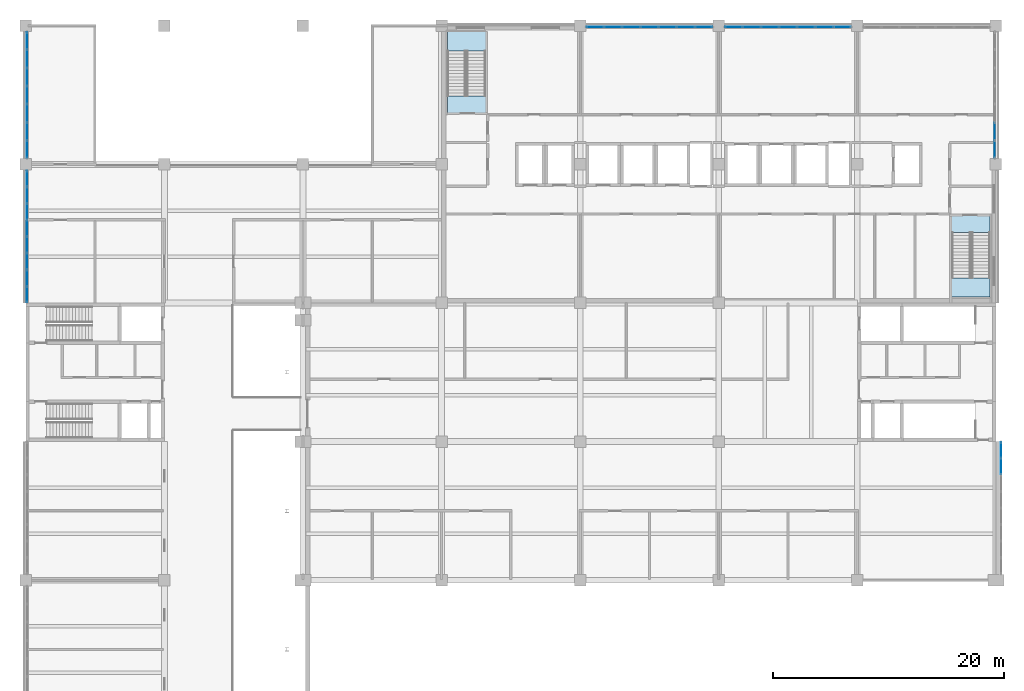
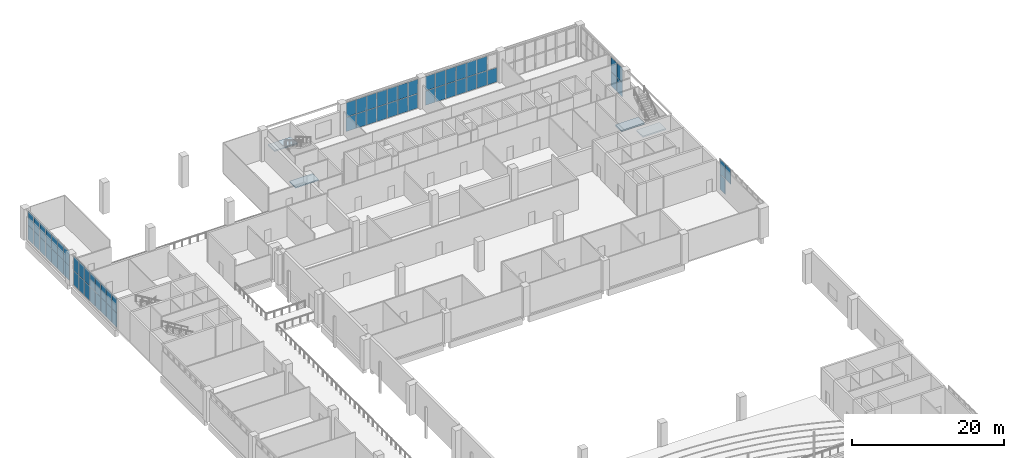
# One storey, part 49 of 69: 64 plates, 4 slabs, 8 elements without a shape of their own.
"""IFC4 building model written with IfcOpenShell, lengths in metres."""

from ifc_helpers import new_model, si_unit, direction, frame, origin, origin_2d, place, context, subcontext, project, spatial, polyline, rectangle, outline, extrude, material, layer, layer_set, type_object, element, aggregate, save


model = new_model("IFC4")

# Units and contexts
model_context = context("Model", 3, precision=1e-05, world=origin(), true_north=direction((0.0, 1.0)))
body_context = subcontext(model_context, "Body", "Model", "MODEL_VIEW")
ifc_project = project(units=[si_unit("LENGTHUNIT", "METRE"), si_unit("AREAUNIT", "SQUARE_METRE"), si_unit("VOLUMEUNIT", "CUBIC_METRE"), si_unit("PLANEANGLEUNIT", "RADIAN"), si_unit("MASSUNIT", "GRAM", prefix="KILO")], contexts=[model_context])

# Site, building, storey
site_placement = place(None, origin())
site = spatial("IfcSite", under=ifc_project, at=site_placement, CompositionType="ELEMENT")
building_placement = place(site_placement, origin())
building = spatial("IfcBuilding", under=site, at=building_placement, Name="Lilac Gate Convention Centre", CompositionType="ELEMENT")
storey_placement = place(building_placement, frame((0.0, 0.0, 12.0)))
storey = spatial("IfcBuildingStorey", under=building, at=storey_placement, Name="L02", CompositionType="ELEMENT", Elevation=12.0)

# Curtain wall, plates
ifc_material_1 = material(Name="Aluminium framed double glazing", Category="aluminium")
ifc_layer_1 = layer(ifc_material_1, 0.199951171875)
ifc_layer_set_1 = layer_set([ifc_layer_1], Name="Aluminium framed double glazing")
curtain_wall_type = type_object("IfcCurtainWallType", Name="Unitised curtain wall 1500", PredefinedType="NOTDEFINED", material=ifc_layer_set_1)
curtain_wall_1_placement = place(storey_placement, origin())
curtain_wall_1 = element("IfcCurtainWall", 1, at=curtain_wall_1_placement, inside=storey, type_object=curtain_wall_type, Name="Curtain wall E L02 2", PredefinedType="NOTDEFINED")
ifc_material_2 = material(Name="Double glazed unit low emissivity")
ifc_layer_2 = layer(ifc_material_2, 0.028076171875)
ifc_layer_set_2 = layer_set([ifc_layer_2], Name="Double glazed unit low emissivity")
plate_type_1 = type_object("IfcPlateType", Name="Curtain wall glass panel 28", PredefinedType="CURTAIN_PANEL", material=ifc_layer_set_2)
plate_1_placement = place(storey_placement, frame((89.89990234375, 235.30078125, 2.4052734375), z_axis=(0.0, 0.0, 1.0), x_axis=(0.0, 1.0, 0.0)))
plate_1 = element("IfcPlate", 2, at=plate_1_placement, type_object=plate_type_1, Name="CW panel 1.2", PredefinedType="CURTAIN_PANEL", context=body_context, shape_type="SweptSolid", body=[
    extrude(rectangle(XDim=1.4814453125, YDim=0.028076171875, at=origin_2d()), origin(), (0.0, 0.0, 1.0), 2.284912109375),
])
plate_2_placement = place(storey_placement, frame((89.89990234375, 236.857177734375, 2.4052734375), z_axis=(0.0, 0.0, 1.0), x_axis=(0.0, 1.0, 0.0)))
plate_2 = element("IfcPlate", 3, at=plate_2_placement, type_object=plate_type_1, Name="CW panel 2.2", PredefinedType="CURTAIN_PANEL", context=body_context, shape_type="SweptSolid", body=[
    extrude(rectangle(XDim=1.511474609375, YDim=0.028076171875, at=origin_2d()), origin(), (0.0, 0.0, 1.0), 2.284912109375),
])

curtain_wall_2_placement = place(storey_placement, origin())
curtain_wall_2 = element("IfcCurtainWall", 4, at=curtain_wall_2_placement, inside=storey, type_object=curtain_wall_type, Name="Curtain wall N L02 2", PredefinedType="NOTDEFINED")
plate_3_placement = place(storey_placement, frame((75.142822265625, 245.89990234375, 2.4052734375), z_axis=(0.0, 0.0, 1.0), x_axis=(-1.0, 0.0, 0.0)))
plate_3 = element("IfcPlate", 5, at=plate_3_placement, type_object=plate_type_1, Name="CW panel 2.2", PredefinedType="CURTAIN_PANEL", context=body_context, shape_type="SweptSolid", body=[
    extrude(rectangle(XDim=1.511474609375, YDim=0.028076171875, at=origin_2d()), origin(), (0.0, 0.0, 1.0), 2.284912109375),
])
plate_4_placement = place(storey_placement, frame((73.571533203125, 245.89990234375, 2.4052734375), z_axis=(0.0, 0.0, 1.0), x_axis=(-1.0, 0.0, 0.0)))
plate_4 = element("IfcPlate", 6, at=plate_4_placement, type_object=plate_type_1, Name="CW panel 3.2", PredefinedType="CURTAIN_PANEL", context=body_context, shape_type="SweptSolid", body=[
    extrude(rectangle(XDim=1.511474609375, YDim=0.028076171875, at=origin_2d()), origin(), (0.0, 0.0, 1.0), 2.284912109375),
])
plate_5_placement = place(storey_placement, frame((72.0, 245.89990234375, 2.4052734375), z_axis=(0.0, 0.0, 1.0), x_axis=(-1.0, 0.0, 0.0)))
plate_5 = element("IfcPlate", 7, at=plate_5_placement, type_object=plate_type_1, Name="CW panel 4.2", PredefinedType="CURTAIN_PANEL", context=body_context, shape_type="SweptSolid", body=[
    extrude(rectangle(XDim=1.511474609375, YDim=0.028076171875, at=origin_2d()), origin(), (0.0, 0.0, 1.0), 2.284912109375),
])
plate_6_placement = place(storey_placement, frame((70.428466796875, 245.89990234375, 2.4052734375), z_axis=(0.0, 0.0, 1.0), x_axis=(-1.0, 0.0, 0.0)))
plate_6 = element("IfcPlate", 8, at=plate_6_placement, type_object=plate_type_1, Name="CW panel 5.2", PredefinedType="CURTAIN_PANEL", context=body_context, shape_type="SweptSolid", body=[
    extrude(rectangle(XDim=1.511474609375, YDim=0.028076171875, at=origin_2d()), origin(), (0.0, 0.0, 1.0), 2.284912109375),
])
plate_7_placement = place(storey_placement, frame((68.857177734375, 245.89990234375, 2.4052734375), z_axis=(0.0, 0.0, 1.0), x_axis=(-1.0, 0.0, 0.0)))
plate_7 = element("IfcPlate", 9, at=plate_7_placement, type_object=plate_type_1, Name="CW panel 6.2", PredefinedType="CURTAIN_PANEL", context=body_context, shape_type="SweptSolid", body=[
    extrude(rectangle(XDim=1.511474609375, YDim=0.028076171875, at=origin_2d()), origin(), (0.0, 0.0, 1.0), 2.284912109375),
])
plate_8_placement = place(storey_placement, frame((67.30078125, 245.89990234375, 2.4052734375), z_axis=(0.0, 0.0, 1.0), x_axis=(-1.0, 0.0, 0.0)))
plate_8 = element("IfcPlate", 10, at=plate_8_placement, type_object=plate_type_1, Name="CW panel 7.2", PredefinedType="CURTAIN_PANEL", context=body_context, shape_type="SweptSolid", body=[
    extrude(rectangle(XDim=1.4814453125, YDim=0.028076171875, at=origin_2d()), origin(), (0.0, 0.0, 1.0), 2.284912109375),
])

curtain_wall_3_placement = place(storey_placement, origin())
curtain_wall_3 = element("IfcCurtainWall", 11, at=curtain_wall_3_placement, inside=storey, type_object=curtain_wall_type, Name="Curtain wall N L02 3", PredefinedType="NOTDEFINED")
plate_9_placement = place(storey_placement, frame((64.69921875, 245.89990234375, 2.4052734375), z_axis=(0.0, 0.0, 1.0), x_axis=(-1.0, 0.0, 0.0)))
plate_9 = element("IfcPlate", 12, at=plate_9_placement, type_object=plate_type_1, Name="CW panel 1.2", PredefinedType="CURTAIN_PANEL", context=body_context, shape_type="SweptSolid", body=[
    extrude(rectangle(XDim=1.4814453125, YDim=0.028076171875, at=origin_2d()), origin(), (0.0, 0.0, 1.0), 2.284912109375),
])
plate_10_placement = place(storey_placement, frame((63.142822265625, 245.89990234375, 2.4052734375), z_axis=(0.0, 0.0, 1.0), x_axis=(-1.0, 0.0, 0.0)))
plate_10 = element("IfcPlate", 13, at=plate_10_placement, type_object=plate_type_1, Name="CW panel 2.2", PredefinedType="CURTAIN_PANEL", context=body_context, shape_type="SweptSolid", body=[
    extrude(rectangle(XDim=1.511474609375, YDim=0.028076171875, at=origin_2d()), origin(), (0.0, 0.0, 1.0), 2.284912109375),
])
plate_11_placement = place(storey_placement, frame((61.571533203125, 245.89990234375, 2.4052734375), z_axis=(0.0, 0.0, 1.0), x_axis=(-1.0, 0.0, 0.0)))
plate_11 = element("IfcPlate", 14, at=plate_11_placement, type_object=plate_type_1, Name="CW panel 3.2", PredefinedType="CURTAIN_PANEL", context=body_context, shape_type="SweptSolid", body=[
    extrude(rectangle(XDim=1.511474609375, YDim=0.028076171875, at=origin_2d()), origin(), (0.0, 0.0, 1.0), 2.284912109375),
])
plate_12_placement = place(storey_placement, frame((60.0, 245.89990234375, 2.4052734375), z_axis=(0.0, 0.0, 1.0), x_axis=(-1.0, 0.0, 0.0)))
plate_12 = element("IfcPlate", 15, at=plate_12_placement, type_object=plate_type_1, Name="CW panel 4.2", PredefinedType="CURTAIN_PANEL", context=body_context, shape_type="SweptSolid", body=[
    extrude(rectangle(XDim=1.511474609375, YDim=0.028076171875, at=origin_2d()), origin(), (0.0, 0.0, 1.0), 2.284912109375),
])
plate_13_placement = place(storey_placement, frame((58.428466796875, 245.89990234375, 2.4052734375), z_axis=(0.0, 0.0, 1.0), x_axis=(-1.0, 0.0, 0.0)))
plate_13 = element("IfcPlate", 16, at=plate_13_placement, type_object=plate_type_1, Name="CW panel 5.2", PredefinedType="CURTAIN_PANEL", context=body_context, shape_type="SweptSolid", body=[
    extrude(rectangle(XDim=1.511474609375, YDim=0.028076171875, at=origin_2d()), origin(), (0.0, 0.0, 1.0), 2.284912109375),
])
plate_14_placement = place(storey_placement, frame((56.857177734375, 245.89990234375, 2.4052734375), z_axis=(0.0, 0.0, 1.0), x_axis=(-1.0, 0.0, 0.0)))
plate_14 = element("IfcPlate", 17, at=plate_14_placement, type_object=plate_type_1, Name="CW panel 6.2", PredefinedType="CURTAIN_PANEL", context=body_context, shape_type="SweptSolid", body=[
    extrude(rectangle(XDim=1.511474609375, YDim=0.028076171875, at=origin_2d()), origin(), (0.0, 0.0, 1.0), 2.284912109375),
])
plate_15_placement = place(storey_placement, frame((55.30078125, 245.89990234375, 2.4052734375), z_axis=(0.0, 0.0, 1.0), x_axis=(-1.0, 0.0, 0.0)))
plate_15 = element("IfcPlate", 18, at=plate_15_placement, type_object=plate_type_1, Name="CW panel 7.2", PredefinedType="CURTAIN_PANEL", context=body_context, shape_type="SweptSolid", body=[
    extrude(rectangle(XDim=1.4814453125, YDim=0.028076171875, at=origin_2d()), origin(), (0.0, 0.0, 1.0), 2.284912109375),
])

curtain_wall_4_placement = place(storey_placement, origin())
curtain_wall_4 = element("IfcCurtainWall", 19, at=curtain_wall_4_placement, inside=storey, type_object=curtain_wall_type, Name="Curtain wall GW L02 1", PredefinedType="NOTDEFINED")
plate_16_placement = place(storey_placement, frame((6.10009765625, 244.69921875, 2.4052734375), z_axis=(0.0, 0.0, 1.0), x_axis=(0.0, -1.0, 0.0)))
plate_16 = element("IfcPlate", 20, at=plate_16_placement, type_object=plate_type_1, Name="CW panel 1.2", PredefinedType="CURTAIN_PANEL", context=body_context, shape_type="SweptSolid", body=[
    extrude(rectangle(XDim=1.4814453125, YDim=0.028076171875, at=origin_2d()), origin(), (0.0, 0.0, 1.0), 2.284912109375),
])
plate_17_placement = place(storey_placement, frame((6.10009765625, 243.142822265625, 2.4052734375), z_axis=(0.0, 0.0, 1.0), x_axis=(0.0, -1.0, 0.0)))
plate_17 = element("IfcPlate", 21, at=plate_17_placement, type_object=plate_type_1, Name="CW panel 2.2", PredefinedType="CURTAIN_PANEL", context=body_context, shape_type="SweptSolid", body=[
    extrude(rectangle(XDim=1.511474609375, YDim=0.028076171875, at=origin_2d()), origin(), (0.0, 0.0, 1.0), 2.284912109375),
])
plate_18_placement = place(storey_placement, frame((6.10009765625, 241.571533203125, 2.4052734375), z_axis=(0.0, 0.0, 1.0), x_axis=(0.0, -1.0, 0.0)))
plate_18 = element("IfcPlate", 22, at=plate_18_placement, type_object=plate_type_1, Name="CW panel 3.2", PredefinedType="CURTAIN_PANEL", context=body_context, shape_type="SweptSolid", body=[
    extrude(rectangle(XDim=1.511474609375, YDim=0.028076171875, at=origin_2d()), origin(), (0.0, 0.0, 1.0), 2.284912109375),
])
plate_19_placement = place(storey_placement, frame((6.10009765625, 240.0, 2.4052734375), z_axis=(0.0, 0.0, 1.0), x_axis=(0.0, -1.0, 0.0)))
plate_19 = element("IfcPlate", 23, at=plate_19_placement, type_object=plate_type_1, Name="CW panel 4.2", PredefinedType="CURTAIN_PANEL", context=body_context, shape_type="SweptSolid", body=[
    extrude(rectangle(XDim=1.511474609375, YDim=0.028076171875, at=origin_2d()), origin(), (0.0, 0.0, 1.0), 2.284912109375),
])
plate_20_placement = place(storey_placement, frame((6.10009765625, 238.428466796875, 2.4052734375), z_axis=(0.0, 0.0, 1.0), x_axis=(0.0, -1.0, 0.0)))
plate_20 = element("IfcPlate", 24, at=plate_20_placement, type_object=plate_type_1, Name="CW panel 5.2", PredefinedType="CURTAIN_PANEL", context=body_context, shape_type="SweptSolid", body=[
    extrude(rectangle(XDim=1.511474609375, YDim=0.028076171875, at=origin_2d()), origin(), (0.0, 0.0, 1.0), 2.284912109375),
])
plate_21_placement = place(storey_placement, frame((6.10009765625, 236.857177734375, 2.4052734375), z_axis=(0.0, 0.0, 1.0), x_axis=(0.0, -1.0, 0.0)))
plate_21 = element("IfcPlate", 25, at=plate_21_placement, type_object=plate_type_1, Name="CW panel 6.2", PredefinedType="CURTAIN_PANEL", context=body_context, shape_type="SweptSolid", body=[
    extrude(rectangle(XDim=1.511474609375, YDim=0.028076171875, at=origin_2d()), origin(), (0.0, 0.0, 1.0), 2.284912109375),
])
plate_22_placement = place(storey_placement, frame((6.10009765625, 235.30078125, 2.4052734375), z_axis=(0.0, 0.0, 1.0), x_axis=(0.0, -1.0, 0.0)))
plate_22 = element("IfcPlate", 26, at=plate_22_placement, type_object=plate_type_1, Name="CW panel 7.2", PredefinedType="CURTAIN_PANEL", context=body_context, shape_type="SweptSolid", body=[
    extrude(rectangle(XDim=1.4814453125, YDim=0.028076171875, at=origin_2d()), origin(), (0.0, 0.0, 1.0), 2.284912109375),
])

curtain_wall_5_placement = place(storey_placement, origin())
curtain_wall_5 = element("IfcCurtainWall", 27, at=curtain_wall_5_placement, inside=storey, type_object=curtain_wall_type, Name="Curtain wall GW L02 2", PredefinedType="NOTDEFINED")
plate_23_placement = place(storey_placement, frame((6.10009765625, 232.766357421875, 2.4052734375), z_axis=(0.0, 0.0, 1.0), x_axis=(0.0, -1.0, 0.0)))
plate_23 = element("IfcPlate", 28, at=plate_23_placement, type_object=plate_type_1, Name="CW panel 1.2", PredefinedType="CURTAIN_PANEL", context=body_context, shape_type="SweptSolid", body=[
    extrude(rectangle(XDim=1.347412109375, YDim=0.028076171875, at=origin_2d()), origin(), (0.0, 0.0, 1.0), 2.284912109375),
])
plate_24_placement = place(storey_placement, frame((6.10009765625, 231.34375, 2.4052734375), z_axis=(0.0, 0.0, 1.0), x_axis=(0.0, -1.0, 0.0)))
plate_24 = element("IfcPlate", 29, at=plate_24_placement, type_object=plate_type_1, Name="CW panel 2.2", PredefinedType="CURTAIN_PANEL", context=body_context, shape_type="SweptSolid", body=[
    extrude(rectangle(XDim=1.37744140625, YDim=0.028076171875, at=origin_2d()), origin(), (0.0, 0.0, 1.0), 2.284912109375),
])
plate_25_placement = place(storey_placement, frame((6.10009765625, 229.90625, 2.4052734375), z_axis=(0.0, 0.0, 1.0), x_axis=(0.0, -1.0, 0.0)))
plate_25 = element("IfcPlate", 30, at=plate_25_placement, type_object=plate_type_1, Name="CW panel 3.2", PredefinedType="CURTAIN_PANEL", context=body_context, shape_type="SweptSolid", body=[
    extrude(rectangle(XDim=1.37744140625, YDim=0.028076171875, at=origin_2d()), origin(), (0.0, 0.0, 1.0), 2.284912109375),
])
plate_26_placement = place(storey_placement, frame((6.10009765625, 228.46875, 2.4052734375), z_axis=(0.0, 0.0, 1.0), x_axis=(0.0, -1.0, 0.0)))
plate_26 = element("IfcPlate", 31, at=plate_26_placement, type_object=plate_type_1, Name="CW panel 4.2", PredefinedType="CURTAIN_PANEL", context=body_context, shape_type="SweptSolid", body=[
    extrude(rectangle(XDim=1.37744140625, YDim=0.028076171875, at=origin_2d()), origin(), (0.0, 0.0, 1.0), 2.284912109375),
])
plate_27_placement = place(storey_placement, frame((6.10009765625, 227.03125, 2.4052734375), z_axis=(0.0, 0.0, 1.0), x_axis=(0.0, -1.0, 0.0)))
plate_27 = element("IfcPlate", 32, at=plate_27_placement, type_object=plate_type_1, Name="CW panel 5.2", PredefinedType="CURTAIN_PANEL", context=body_context, shape_type="SweptSolid", body=[
    extrude(rectangle(XDim=1.37744140625, YDim=0.028076171875, at=origin_2d()), origin(), (0.0, 0.0, 1.0), 2.284912109375),
])
plate_28_placement = place(storey_placement, frame((6.10009765625, 225.59375, 2.4052734375), z_axis=(0.0, 0.0, 1.0), x_axis=(0.0, -1.0, 0.0)))
plate_28 = element("IfcPlate", 33, at=plate_28_placement, type_object=plate_type_1, Name="CW panel 6.2", PredefinedType="CURTAIN_PANEL", context=body_context, shape_type="SweptSolid", body=[
    extrude(rectangle(XDim=1.37744140625, YDim=0.028076171875, at=origin_2d()), origin(), (0.0, 0.0, 1.0), 2.284912109375),
])
plate_29_placement = place(storey_placement, frame((6.10009765625, 224.15625, 2.4052734375), z_axis=(0.0, 0.0, 1.0), x_axis=(0.0, -1.0, 0.0)))
plate_29 = element("IfcPlate", 34, at=plate_29_placement, type_object=plate_type_1, Name="CW panel 7.2", PredefinedType="CURTAIN_PANEL", context=body_context, shape_type="SweptSolid", body=[
    extrude(rectangle(XDim=1.37744140625, YDim=0.028076171875, at=origin_2d()), origin(), (0.0, 0.0, 1.0), 2.284912109375),
])
plate_30_placement = place(storey_placement, frame((6.10009765625, 222.733642578125, 2.4052734375), z_axis=(0.0, 0.0, 1.0), x_axis=(0.0, -1.0, 0.0)))
plate_30 = element("IfcPlate", 35, at=plate_30_placement, type_object=plate_type_1, Name="CW panel 8.2", PredefinedType="CURTAIN_PANEL", context=body_context, shape_type="SweptSolid", body=[
    extrude(rectangle(XDim=1.347412109375, YDim=0.028076171875, at=origin_2d()), origin(), (0.0, 0.0, 1.0), 2.284912109375),
])

curtain_wall_6_placement = place(storey_placement, origin())
curtain_wall_6 = element("IfcCurtainWall", 36, at=curtain_wall_6_placement, inside=storey, type_object=curtain_wall_type, Name="Curtain wall HE L02 12", PredefinedType="NOTDEFINED")
plate_31_placement = place(storey_placement, frame((90.449951171875, 207.84375, 2.5302734375), z_axis=(0.0, 0.0, 1.0), x_axis=(0.0, 1.0, 0.0)))
plate_31 = element("IfcPlate", 37, at=plate_31_placement, type_object=plate_type_1, Name="CW panel 7.2", PredefinedType="CURTAIN_PANEL", context=body_context, shape_type="SweptSolid", body=[
    extrude(rectangle(XDim=1.37744140625, YDim=0.028076171875, at=origin_2d()), origin(), (0.0, 0.0, 1.0), 2.409912109375),
])
plate_32_placement = place(storey_placement, frame((90.449951171875, 209.266357421875, 2.5302734375), z_axis=(0.0, 0.0, 1.0), x_axis=(0.0, 1.0, 0.0)))
plate_32 = element("IfcPlate", 38, at=plate_32_placement, type_object=plate_type_1, Name="CW panel 8.2", PredefinedType="CURTAIN_PANEL", context=body_context, shape_type="SweptSolid", body=[
    extrude(rectangle(XDim=1.347412109375, YDim=0.028076171875, at=origin_2d()), origin(), (0.0, 0.0, 1.0), 2.409912109375),
])

# Plate
ifc_material_3 = material(Name="Insulated aluminium spandrel panel", Category="aluminium")
ifc_layer_3 = layer(ifc_material_3, 0.028076171875)
ifc_layer_set_3 = layer_set([ifc_layer_3], Name="Insulated aluminium spandrel panel")
plate_type_2 = type_object("IfcPlateType", Name="Curtain wall spandrel panel 28", PredefinedType="CURTAIN_PANEL", material=ifc_layer_set_3)
plate_33_placement = place(storey_placement, frame((89.89990234375, 235.30078125, 0.06005859375), z_axis=(0.0, 0.0, 1.0), x_axis=(0.0, 1.0, 0.0)))
plate_33 = element("IfcPlate", 39, at=plate_33_placement, type_object=plate_type_2, Name="CW spandrel 1.1", PredefinedType="CURTAIN_PANEL", context=body_context, shape_type="SweptSolid", body=[
    extrude(rectangle(XDim=1.4814453125, YDim=0.028076171875, at=origin_2d()), origin(), (0.0, 0.0, 1.0), 2.284912109375),
])

plate_34_placement = place(storey_placement, frame((89.89990234375, 236.857177734375, 0.06005859375), z_axis=(0.0, 0.0, 1.0), x_axis=(0.0, 1.0, 0.0)))
plate_34 = element("IfcPlate", 40, at=plate_34_placement, type_object=plate_type_2, Name="CW spandrel 2.1", PredefinedType="CURTAIN_PANEL", context=body_context, shape_type="SweptSolid", body=[
    extrude(rectangle(XDim=1.511474609375, YDim=0.028076171875, at=origin_2d()), origin(), (0.0, 0.0, 1.0), 2.284912109375),
])

aggregate(curtain_wall_1, [plate_33, plate_1, plate_34, plate_2])

plate_35_placement = place(storey_placement, frame((76.69921875, 245.89990234375, 0.06005859375), z_axis=(0.0, 0.0, 1.0), x_axis=(-1.0, 0.0, 0.0)))
plate_35 = element("IfcPlate", 41, at=plate_35_placement, type_object=plate_type_2, Name="CW spandrel 1.1", PredefinedType="CURTAIN_PANEL", context=body_context, shape_type="SweptSolid", body=[
    extrude(rectangle(XDim=1.4814453125, YDim=0.028076171875, at=origin_2d()), origin(), (0.0, 0.0, 1.0), 2.284912109375),
])

plate_36_placement = place(storey_placement, frame((75.142822265625, 245.89990234375, 0.06005859375), z_axis=(0.0, 0.0, 1.0), x_axis=(-1.0, 0.0, 0.0)))
plate_36 = element("IfcPlate", 42, at=plate_36_placement, type_object=plate_type_2, Name="CW spandrel 2.1", PredefinedType="CURTAIN_PANEL", context=body_context, shape_type="SweptSolid", body=[
    extrude(rectangle(XDim=1.511474609375, YDim=0.028076171875, at=origin_2d()), origin(), (0.0, 0.0, 1.0), 2.284912109375),
])

plate_37_placement = place(storey_placement, frame((73.571533203125, 245.89990234375, 0.06005859375), z_axis=(0.0, 0.0, 1.0), x_axis=(-1.0, 0.0, 0.0)))
plate_37 = element("IfcPlate", 43, at=plate_37_placement, type_object=plate_type_2, Name="CW spandrel 3.1", PredefinedType="CURTAIN_PANEL", context=body_context, shape_type="SweptSolid", body=[
    extrude(rectangle(XDim=1.511474609375, YDim=0.028076171875, at=origin_2d()), origin(), (0.0, 0.0, 1.0), 2.284912109375),
])

plate_38_placement = place(storey_placement, frame((72.0, 245.89990234375, 0.06005859375), z_axis=(0.0, 0.0, 1.0), x_axis=(-1.0, 0.0, 0.0)))
plate_38 = element("IfcPlate", 44, at=plate_38_placement, type_object=plate_type_2, Name="CW spandrel 4.1", PredefinedType="CURTAIN_PANEL", context=body_context, shape_type="SweptSolid", body=[
    extrude(rectangle(XDim=1.511474609375, YDim=0.028076171875, at=origin_2d()), origin(), (0.0, 0.0, 1.0), 2.284912109375),
])

plate_39_placement = place(storey_placement, frame((70.428466796875, 245.89990234375, 0.06005859375), z_axis=(0.0, 0.0, 1.0), x_axis=(-1.0, 0.0, 0.0)))
plate_39 = element("IfcPlate", 45, at=plate_39_placement, type_object=plate_type_2, Name="CW spandrel 5.1", PredefinedType="CURTAIN_PANEL", context=body_context, shape_type="SweptSolid", body=[
    extrude(rectangle(XDim=1.511474609375, YDim=0.028076171875, at=origin_2d()), origin(), (0.0, 0.0, 1.0), 2.284912109375),
])

plate_40_placement = place(storey_placement, frame((68.857177734375, 245.89990234375, 0.06005859375), z_axis=(0.0, 0.0, 1.0), x_axis=(-1.0, 0.0, 0.0)))
plate_40 = element("IfcPlate", 46, at=plate_40_placement, type_object=plate_type_2, Name="CW spandrel 6.1", PredefinedType="CURTAIN_PANEL", context=body_context, shape_type="SweptSolid", body=[
    extrude(rectangle(XDim=1.511474609375, YDim=0.028076171875, at=origin_2d()), origin(), (0.0, 0.0, 1.0), 2.284912109375),
])

plate_41_placement = place(storey_placement, frame((67.30078125, 245.89990234375, 0.06005859375), z_axis=(0.0, 0.0, 1.0), x_axis=(-1.0, 0.0, 0.0)))
plate_41 = element("IfcPlate", 47, at=plate_41_placement, type_object=plate_type_2, Name="CW spandrel 7.1", PredefinedType="CURTAIN_PANEL", context=body_context, shape_type="SweptSolid", body=[
    extrude(rectangle(XDim=1.4814453125, YDim=0.028076171875, at=origin_2d()), origin(), (0.0, 0.0, 1.0), 2.284912109375),
])

aggregate(curtain_wall_2, [plate_35, plate_36, plate_3, plate_37, plate_4, plate_38, plate_5, plate_39, plate_6, plate_40, plate_7, plate_41, plate_8])

plate_42_placement = place(storey_placement, frame((64.69921875, 245.89990234375, 0.06005859375), z_axis=(0.0, 0.0, 1.0), x_axis=(-1.0, 0.0, 0.0)))
plate_42 = element("IfcPlate", 48, at=plate_42_placement, type_object=plate_type_2, Name="CW spandrel 1.1", PredefinedType="CURTAIN_PANEL", context=body_context, shape_type="SweptSolid", body=[
    extrude(rectangle(XDim=1.4814453125, YDim=0.028076171875, at=origin_2d()), origin(), (0.0, 0.0, 1.0), 2.284912109375),
])

plate_43_placement = place(storey_placement, frame((63.142822265625, 245.89990234375, 0.06005859375), z_axis=(0.0, 0.0, 1.0), x_axis=(-1.0, 0.0, 0.0)))
plate_43 = element("IfcPlate", 49, at=plate_43_placement, type_object=plate_type_2, Name="CW spandrel 2.1", PredefinedType="CURTAIN_PANEL", context=body_context, shape_type="SweptSolid", body=[
    extrude(rectangle(XDim=1.511474609375, YDim=0.028076171875, at=origin_2d()), origin(), (0.0, 0.0, 1.0), 2.284912109375),
])

plate_44_placement = place(storey_placement, frame((61.571533203125, 245.89990234375, 0.06005859375), z_axis=(0.0, 0.0, 1.0), x_axis=(-1.0, 0.0, 0.0)))
plate_44 = element("IfcPlate", 50, at=plate_44_placement, type_object=plate_type_2, Name="CW spandrel 3.1", PredefinedType="CURTAIN_PANEL", context=body_context, shape_type="SweptSolid", body=[
    extrude(rectangle(XDim=1.511474609375, YDim=0.028076171875, at=origin_2d()), origin(), (0.0, 0.0, 1.0), 2.284912109375),
])

plate_45_placement = place(storey_placement, frame((60.0, 245.89990234375, 0.06005859375), z_axis=(0.0, 0.0, 1.0), x_axis=(-1.0, 0.0, 0.0)))
plate_45 = element("IfcPlate", 51, at=plate_45_placement, type_object=plate_type_2, Name="CW spandrel 4.1", PredefinedType="CURTAIN_PANEL", context=body_context, shape_type="SweptSolid", body=[
    extrude(rectangle(XDim=1.511474609375, YDim=0.028076171875, at=origin_2d()), origin(), (0.0, 0.0, 1.0), 2.284912109375),
])

plate_46_placement = place(storey_placement, frame((58.428466796875, 245.89990234375, 0.06005859375), z_axis=(0.0, 0.0, 1.0), x_axis=(-1.0, 0.0, 0.0)))
plate_46 = element("IfcPlate", 52, at=plate_46_placement, type_object=plate_type_2, Name="CW spandrel 5.1", PredefinedType="CURTAIN_PANEL", context=body_context, shape_type="SweptSolid", body=[
    extrude(rectangle(XDim=1.511474609375, YDim=0.028076171875, at=origin_2d()), origin(), (0.0, 0.0, 1.0), 2.284912109375),
])

plate_47_placement = place(storey_placement, frame((56.857177734375, 245.89990234375, 0.06005859375), z_axis=(0.0, 0.0, 1.0), x_axis=(-1.0, 0.0, 0.0)))
plate_47 = element("IfcPlate", 53, at=plate_47_placement, type_object=plate_type_2, Name="CW spandrel 6.1", PredefinedType="CURTAIN_PANEL", context=body_context, shape_type="SweptSolid", body=[
    extrude(rectangle(XDim=1.511474609375, YDim=0.028076171875, at=origin_2d()), origin(), (0.0, 0.0, 1.0), 2.284912109375),
])

plate_48_placement = place(storey_placement, frame((55.30078125, 245.89990234375, 0.06005859375), z_axis=(0.0, 0.0, 1.0), x_axis=(-1.0, 0.0, 0.0)))
plate_48 = element("IfcPlate", 54, at=plate_48_placement, type_object=plate_type_2, Name="CW spandrel 7.1", PredefinedType="CURTAIN_PANEL", context=body_context, shape_type="SweptSolid", body=[
    extrude(rectangle(XDim=1.4814453125, YDim=0.028076171875, at=origin_2d()), origin(), (0.0, 0.0, 1.0), 2.284912109375),
])

aggregate(curtain_wall_3, [plate_42, plate_9, plate_43, plate_10, plate_44, plate_11, plate_45, plate_12, plate_46, plate_13, plate_47, plate_14, plate_48, plate_15])

plate_49_placement = place(storey_placement, frame((6.10009765625, 244.69921875, 0.06005859375), z_axis=(0.0, 0.0, 1.0), x_axis=(0.0, -1.0, 0.0)))
plate_49 = element("IfcPlate", 55, at=plate_49_placement, type_object=plate_type_2, Name="CW spandrel 1.1", PredefinedType="CURTAIN_PANEL", context=body_context, shape_type="SweptSolid", body=[
    extrude(rectangle(XDim=1.4814453125, YDim=0.028076171875, at=origin_2d()), origin(), (0.0, 0.0, 1.0), 2.284912109375),
])

plate_50_placement = place(storey_placement, frame((6.10009765625, 243.142822265625, 0.06005859375), z_axis=(0.0, 0.0, 1.0), x_axis=(0.0, -1.0, 0.0)))
plate_50 = element("IfcPlate", 56, at=plate_50_placement, type_object=plate_type_2, Name="CW spandrel 2.1", PredefinedType="CURTAIN_PANEL", context=body_context, shape_type="SweptSolid", body=[
    extrude(rectangle(XDim=1.511474609375, YDim=0.028076171875, at=origin_2d()), origin(), (0.0, 0.0, 1.0), 2.284912109375),
])

plate_51_placement = place(storey_placement, frame((6.10009765625, 241.571533203125, 0.06005859375), z_axis=(0.0, 0.0, 1.0), x_axis=(0.0, -1.0, 0.0)))
plate_51 = element("IfcPlate", 57, at=plate_51_placement, type_object=plate_type_2, Name="CW spandrel 3.1", PredefinedType="CURTAIN_PANEL", context=body_context, shape_type="SweptSolid", body=[
    extrude(rectangle(XDim=1.511474609375, YDim=0.028076171875, at=origin_2d()), origin(), (0.0, 0.0, 1.0), 2.284912109375),
])

plate_52_placement = place(storey_placement, frame((6.10009765625, 240.0, 0.06005859375), z_axis=(0.0, 0.0, 1.0), x_axis=(0.0, -1.0, 0.0)))
plate_52 = element("IfcPlate", 58, at=plate_52_placement, type_object=plate_type_2, Name="CW spandrel 4.1", PredefinedType="CURTAIN_PANEL", context=body_context, shape_type="SweptSolid", body=[
    extrude(rectangle(XDim=1.511474609375, YDim=0.028076171875, at=origin_2d()), origin(), (0.0, 0.0, 1.0), 2.284912109375),
])

plate_53_placement = place(storey_placement, frame((6.10009765625, 238.428466796875, 0.06005859375), z_axis=(0.0, 0.0, 1.0), x_axis=(0.0, -1.0, 0.0)))
plate_53 = element("IfcPlate", 59, at=plate_53_placement, type_object=plate_type_2, Name="CW spandrel 5.1", PredefinedType="CURTAIN_PANEL", context=body_context, shape_type="SweptSolid", body=[
    extrude(rectangle(XDim=1.511474609375, YDim=0.028076171875, at=origin_2d()), origin(), (0.0, 0.0, 1.0), 2.284912109375),
])

plate_54_placement = place(storey_placement, frame((6.10009765625, 236.857177734375, 0.06005859375), z_axis=(0.0, 0.0, 1.0), x_axis=(0.0, -1.0, 0.0)))
plate_54 = element("IfcPlate", 60, at=plate_54_placement, type_object=plate_type_2, Name="CW spandrel 6.1", PredefinedType="CURTAIN_PANEL", context=body_context, shape_type="SweptSolid", body=[
    extrude(rectangle(XDim=1.511474609375, YDim=0.028076171875, at=origin_2d()), origin(), (0.0, 0.0, 1.0), 2.284912109375),
])

plate_55_placement = place(storey_placement, frame((6.10009765625, 235.30078125, 0.06005859375), z_axis=(0.0, 0.0, 1.0), x_axis=(0.0, -1.0, 0.0)))
plate_55 = element("IfcPlate", 61, at=plate_55_placement, type_object=plate_type_2, Name="CW spandrel 7.1", PredefinedType="CURTAIN_PANEL", context=body_context, shape_type="SweptSolid", body=[
    extrude(rectangle(XDim=1.4814453125, YDim=0.028076171875, at=origin_2d()), origin(), (0.0, 0.0, 1.0), 2.284912109375),
])

aggregate(curtain_wall_4, [plate_49, plate_16, plate_50, plate_17, plate_51, plate_18, plate_52, plate_19, plate_53, plate_20, plate_54, plate_21, plate_55, plate_22])

plate_56_placement = place(storey_placement, frame((6.10009765625, 232.766357421875, 0.06005859375), z_axis=(0.0, 0.0, 1.0), x_axis=(0.0, -1.0, 0.0)))
plate_56 = element("IfcPlate", 62, at=plate_56_placement, type_object=plate_type_2, Name="CW spandrel 1.1", PredefinedType="CURTAIN_PANEL", context=body_context, shape_type="SweptSolid", body=[
    extrude(rectangle(XDim=1.347412109375, YDim=0.028076171875, at=origin_2d()), origin(), (0.0, 0.0, 1.0), 2.284912109375),
])

plate_57_placement = place(storey_placement, frame((6.10009765625, 231.34375, 0.06005859375), z_axis=(0.0, 0.0, 1.0), x_axis=(0.0, -1.0, 0.0)))
plate_57 = element("IfcPlate", 63, at=plate_57_placement, type_object=plate_type_2, Name="CW spandrel 2.1", PredefinedType="CURTAIN_PANEL", context=body_context, shape_type="SweptSolid", body=[
    extrude(rectangle(XDim=1.37744140625, YDim=0.028076171875, at=origin_2d()), origin(), (0.0, 0.0, 1.0), 2.284912109375),
])

plate_58_placement = place(storey_placement, frame((6.10009765625, 229.90625, 0.06005859375), z_axis=(0.0, 0.0, 1.0), x_axis=(0.0, -1.0, 0.0)))
plate_58 = element("IfcPlate", 64, at=plate_58_placement, type_object=plate_type_2, Name="CW spandrel 3.1", PredefinedType="CURTAIN_PANEL", context=body_context, shape_type="SweptSolid", body=[
    extrude(rectangle(XDim=1.37744140625, YDim=0.028076171875, at=origin_2d()), origin(), (0.0, 0.0, 1.0), 2.284912109375),
])

plate_59_placement = place(storey_placement, frame((6.10009765625, 228.46875, 0.06005859375), z_axis=(0.0, 0.0, 1.0), x_axis=(0.0, -1.0, 0.0)))
plate_59 = element("IfcPlate", 65, at=plate_59_placement, type_object=plate_type_2, Name="CW spandrel 4.1", PredefinedType="CURTAIN_PANEL", context=body_context, shape_type="SweptSolid", body=[
    extrude(rectangle(XDim=1.37744140625, YDim=0.028076171875, at=origin_2d()), origin(), (0.0, 0.0, 1.0), 2.284912109375),
])

plate_60_placement = place(storey_placement, frame((6.10009765625, 227.03125, 0.06005859375), z_axis=(0.0, 0.0, 1.0), x_axis=(0.0, -1.0, 0.0)))
plate_60 = element("IfcPlate", 66, at=plate_60_placement, type_object=plate_type_2, Name="CW spandrel 5.1", PredefinedType="CURTAIN_PANEL", context=body_context, shape_type="SweptSolid", body=[
    extrude(rectangle(XDim=1.37744140625, YDim=0.028076171875, at=origin_2d()), origin(), (0.0, 0.0, 1.0), 2.284912109375),
])

plate_61_placement = place(storey_placement, frame((6.10009765625, 225.59375, 0.06005859375), z_axis=(0.0, 0.0, 1.0), x_axis=(0.0, -1.0, 0.0)))
plate_61 = element("IfcPlate", 67, at=plate_61_placement, type_object=plate_type_2, Name="CW spandrel 6.1", PredefinedType="CURTAIN_PANEL", context=body_context, shape_type="SweptSolid", body=[
    extrude(rectangle(XDim=1.37744140625, YDim=0.028076171875, at=origin_2d()), origin(), (0.0, 0.0, 1.0), 2.284912109375),
])

plate_62_placement = place(storey_placement, frame((6.10009765625, 224.15625, 0.06005859375), z_axis=(0.0, 0.0, 1.0), x_axis=(0.0, -1.0, 0.0)))
plate_62 = element("IfcPlate", 68, at=plate_62_placement, type_object=plate_type_2, Name="CW spandrel 7.1", PredefinedType="CURTAIN_PANEL", context=body_context, shape_type="SweptSolid", body=[
    extrude(rectangle(XDim=1.37744140625, YDim=0.028076171875, at=origin_2d()), origin(), (0.0, 0.0, 1.0), 2.284912109375),
])

plate_63_placement = place(storey_placement, frame((6.10009765625, 222.733642578125, 0.06005859375), z_axis=(0.0, 0.0, 1.0), x_axis=(0.0, -1.0, 0.0)))
plate_63 = element("IfcPlate", 69, at=plate_63_placement, type_object=plate_type_2, Name="CW spandrel 8.1", PredefinedType="CURTAIN_PANEL", context=body_context, shape_type="SweptSolid", body=[
    extrude(rectangle(XDim=1.347412109375, YDim=0.028076171875, at=origin_2d()), origin(), (0.0, 0.0, 1.0), 2.284912109375),
])

aggregate(curtain_wall_5, [plate_56, plate_23, plate_57, plate_24, plate_58, plate_25, plate_59, plate_26, plate_60, plate_27, plate_61, plate_28, plate_62, plate_29, plate_63, plate_30])

plate_64_placement = place(storey_placement, frame((90.449951171875, 209.266357421875, 0.06005859375), z_axis=(0.0, 0.0, 1.0), x_axis=(0.0, 1.0, 0.0)))
plate_64 = element("IfcPlate", 70, at=plate_64_placement, type_object=plate_type_2, Name="CW spandrel 8.1", PredefinedType="CURTAIN_PANEL", context=body_context, shape_type="SweptSolid", body=[
    extrude(rectangle(XDim=1.347412109375, YDim=0.028076171875, at=origin_2d()), origin(), (0.0, 0.0, 1.0), 2.409912109375),
])

aggregate(curtain_wall_6, [plate_31, plate_64, plate_32])

# Stair, slabs
ifc_material_4 = material(Name="Concrete C40", Category="concrete")
stair_type = type_object("IfcStairType", Name="Exit stair", PredefinedType="DOUBLE_RETURN_STAIR", material=ifc_material_4)
stair_1_placement = place(storey_placement, origin())
stair_1 = element("IfcStair", 71, at=stair_1_placement, inside=storey, type_object=stair_type, Name="Exit stair NW L02", PredefinedType="DOUBLE_RETURN_STAIR")
ifc_layer_4 = layer(ifc_material_4, 0.199951171875)
ifc_layer_set_4 = layer_set([ifc_layer_4], Name="Concrete C40")
slab_type = type_object("IfcSlabType", Name="Exit stair landing", PredefinedType="LANDING", material=ifc_layer_set_4)
slab_1_placement = place(storey_placement, frame((0.0, 0.0, -0.199951171875)))
slab_1 = element("IfcSlab", 72, at=slab_1_placement, type_object=slab_type, Name="ST-NW landing 1", PredefinedType="LANDING", context=body_context, shape_type="SweptSolid", body=[
    extrude(outline(polyline([(42.5, 238.300048828125), (46.0, 238.300048828125), (46.0, 239.89990234375), (42.5, 239.89990234375), (42.5, 238.300048828125)])), origin(), (0.0, 0.0, 1.0), 0.199951171875),
])
slab_2_placement = place(storey_placement, frame((0.0, 0.0, 2.300048828125)))
slab_2 = element("IfcSlab", 73, at=slab_2_placement, type_object=slab_type, Name="ST-NW landing 2", PredefinedType="LANDING", context=body_context, shape_type="SweptSolid", body=[
    extrude(outline(polyline([(42.5, 243.820068359375), (46.0, 243.820068359375), (46.0, 245.5), (42.5, 245.5), (42.5, 243.820068359375)])), origin(), (0.0, 0.0, 1.0), 0.199951171875),
])
aggregate(stair_1, [slab_1, slab_2])

stair_2_placement = place(storey_placement, origin())
stair_2 = element("IfcStair", 74, at=stair_2_placement, inside=storey, type_object=stair_type, Name="Exit stair SE L02", PredefinedType="DOUBLE_RETURN_STAIR")
slab_3_placement = place(storey_placement, frame((0.0, 0.0, -0.199951171875)))
slab_3 = element("IfcSlab", 75, at=slab_3_placement, type_object=slab_type, Name="ST-SE landing 1", PredefinedType="LANDING", context=body_context, shape_type="SweptSolid", body=[
    extrude(outline(polyline([(86.0, 228.10009765625), (89.5, 228.10009765625), (89.5, 229.699951171875), (86.0, 229.699951171875), (86.0, 228.10009765625)])), origin(), (0.0, 0.0, 1.0), 0.199951171875),
])
slab_4_placement = place(storey_placement, frame((0.0, 0.0, 2.300048828125)))
slab_4 = element("IfcSlab", 76, at=slab_4_placement, type_object=slab_type, Name="ST-SE landing 2", PredefinedType="LANDING", context=body_context, shape_type="SweptSolid", body=[
    extrude(outline(polyline([(86.0, 222.5), (89.5, 222.5), (89.5, 224.179931640625), (86.0, 224.179931640625), (86.0, 222.5)])), origin(), (0.0, 0.0, 1.0), 0.199951171875),
])
aggregate(stair_2, [slab_3, slab_4])

save(model, "model.ifc")
